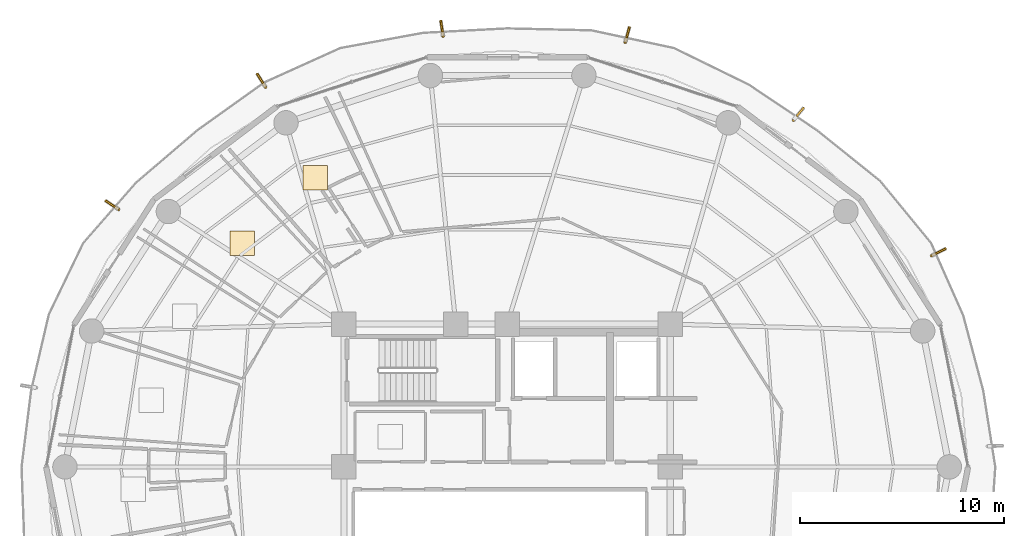
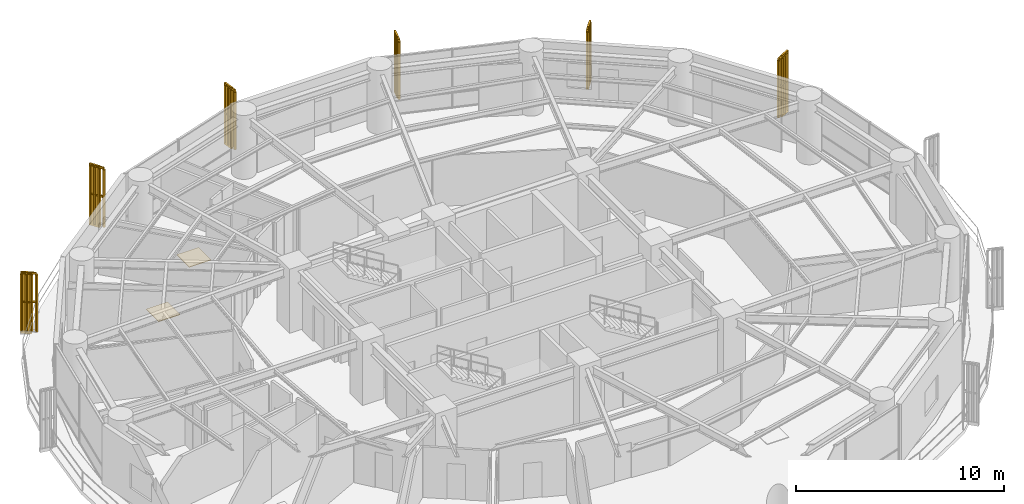
# One storey, part 28 of 28: 6 railings, 6 shading devices, 2 coverings.
"""IFC4 building model written with IfcOpenShell, lengths in metres."""

from ifc_helpers import new_model, si_unit, direction, frame, origin, origin_2d, place, context, subcontext, project, spatial, polyline, rectangle, outline, extrude, source, transform, mapped, material, layer, layer_set, type_object, element, save


model = new_model("IFC4")

# Units and contexts
model_context = context("Model", 3, precision=1e-05, world=origin(), true_north=direction((0.0, 1.0)))
body_context = subcontext(model_context, "Body", "Model", "MODEL_VIEW")
ifc_project = project(units=[si_unit("LENGTHUNIT", "METRE"), si_unit("AREAUNIT", "SQUARE_METRE"), si_unit("VOLUMEUNIT", "CUBIC_METRE"), si_unit("PLANEANGLEUNIT", "RADIAN"), si_unit("MASSUNIT", "GRAM", prefix="KILO")], contexts=[model_context])

# Site, building, storey
site_placement = place(None, origin())
site = spatial("IfcSite", under=ifc_project, at=site_placement, CompositionType="ELEMENT")
building_placement = place(site_placement, origin())
building = spatial("IfcBuilding", under=site, at=building_placement, Name="Kelanora Arch Commons", CompositionType="ELEMENT")
storey_placement = place(building_placement, frame((0.0, 0.0, 180.60009765625)))
storey = spatial("IfcBuildingStorey", under=building, at=storey_placement, Name="L46", CompositionType="ELEMENT", Elevation=180.60009765625)

# Railings
ifc_material_1 = material(Name="Anodised bronze vertical shading fin rib assembly")
railing_type = type_object("IfcRailingType", Name="RAIL-FIN-BRZ", PredefinedType="BALUSTRADE", material=ifc_material_1)
railing_1_placement = place(storey_placement, frame((94.815673828125, 68.359375, -0.02001953125)))
element("IfcRailing", 1, at=railing_1_placement, inside=storey, type_object=railing_type, Name="Sweeping Bronze Vertical Fin Blade L46-02", PredefinedType="BALUSTRADE", context=body_context, shape_type="SweptSolid", body=[
    extrude(outline(polyline([(0.06982421875, 0.0), (0.034912109375, 0.060546875), (-0.034912109375, 0.060546875), (-0.06982421875, 0.0), (-0.034912109375, -0.060546875), (0.034912109375, -0.060546875), (0.06982421875, 0.0)])), frame((0.0, 0.0, 3.419921875), z_axis=(0.895359296014, 0.445344508264, 0.0), x_axis=(-0.445344508264, 0.895359296014, 0.0)), (0.0, 0.0, 1.0), 0.73193359375),
    extrude(outline(polyline([(0.06982421875, 0.0), (0.034912109375, 0.060546875), (-0.034912109375, 0.060546875), (-0.06982421875, 0.0), (-0.034912109375, -0.060546875), (0.034912109375, -0.060546875), (0.06982421875, 0.0)])), frame((0.0, 0.0, 1.7451171875), z_axis=(0.895359296014, 0.445344508264, 0.0), x_axis=(-0.445344508264, 0.895359296014, 0.0)), (0.0, 0.0, 1.0), 0.73193359375),
    extrude(outline(polyline([(0.080078125, 0.0), (0.0400390625, 0.0693359375), (-0.0400390625, 0.0693359375), (-0.080078125, 0.0), (-0.0400390625, -0.0693359375), (0.0400390625, -0.0693359375), (0.080078125, 0.0)])), origin(), (0.0, 0.0, 1.0), 3.35009765625),
    extrude(outline(polyline([(0.080078125, 0.0), (0.0400390625, 0.0693359375), (-0.0400390625, 0.0693359375), (-0.080078125, 0.0), (-0.0400390625, -0.0693359375), (0.0400390625, -0.0693359375), (0.080078125, 0.0)])), frame((0.218505859375, 0.108642578125, 0.0)), (0.0, 0.0, 1.0), 3.35009765625),
    extrude(outline(polyline([(0.080078125, 0.0), (0.0400390625, 0.0693359375), (-0.0400390625, 0.0693359375), (-0.080078125, 0.0), (-0.0400390625, -0.0693359375), (0.0400390625, -0.0693359375), (0.080078125, 0.0)])), frame((0.436767578125, 0.21728515625, 0.0)), (0.0, 0.0, 1.0), 3.35009765625),
    extrude(outline(polyline([(0.080078125, 0.0), (0.0400390625, 0.0693359375), (-0.0400390625, 0.0693359375), (-0.080078125, 0.0), (-0.0400390625, -0.0693359375), (0.0400390625, -0.0693359375), (0.080078125, 0.0)])), frame((0.6552734375, 0.325927734375, 0.0)), (0.0, 0.0, 1.0), 3.35009765625),
])
railing_2_placement = place(storey_placement, frame((88.04296875, 75.010009765625, -0.02001953125)))
element("IfcRailing", 2, at=railing_2_placement, inside=storey, type_object=railing_type, Name="Sweeping Bronze Vertical Fin Blade L46-03", PredefinedType="BALUSTRADE", context=body_context, shape_type="SweptSolid", body=[
    extrude(outline(polyline([(0.06982421875, 0.0), (0.034912109375, 0.060546875), (-0.034912109375, 0.060546875), (-0.06982421875, 0.0), (-0.034912109375, -0.060546875), (0.034912109375, -0.060546875), (0.06982421875, 0.0)])), frame((0.0, 0.0, 3.419921875), z_axis=(0.636502044496, 0.771275014085, 0.0), x_axis=(-0.771275014085, 0.636502044496, 0.0)), (0.0, 0.0, 1.0), 0.73193359375),
    extrude(outline(polyline([(0.06982421875, 0.0), (0.034912109375, 0.060546875), (-0.034912109375, 0.060546875), (-0.06982421875, 0.0), (-0.034912109375, -0.060546875), (0.034912109375, -0.060546875), (0.06982421875, 0.0)])), frame((0.0, 0.0, 1.7451171875), z_axis=(0.636502044496, 0.771275014085, 0.0), x_axis=(-0.771275014085, 0.636502044496, 0.0)), (0.0, 0.0, 1.0), 0.73193359375),
    extrude(outline(polyline([(0.080078125, 0.0), (0.0400390625, 0.0693359375), (-0.0400390625, 0.0693359375), (-0.080078125, 0.0), (-0.0400390625, -0.0693359375), (0.0400390625, -0.0693359375), (0.080078125, 0.0)])), origin(), (0.0, 0.0, 1.0), 3.35009765625),
    extrude(outline(polyline([(0.080078125, 0.0), (0.0400390625, 0.0693359375), (-0.0400390625, 0.0693359375), (-0.080078125, 0.0), (-0.0400390625, -0.0693359375), (0.0400390625, -0.0693359375), (0.080078125, 0.0)])), frame((0.1552734375, 0.188232421875, 0.0)), (0.0, 0.0, 1.0), 3.35009765625),
    extrude(outline(polyline([(0.080078125, 0.0), (0.0400390625, 0.0693359375), (-0.0400390625, 0.0693359375), (-0.080078125, 0.0), (-0.0400390625, -0.0693359375), (0.0400390625, -0.0693359375), (0.080078125, 0.0)])), frame((0.310546875, 0.376220703125, 0.0)), (0.0, 0.0, 1.0), 3.35009765625),
    extrude(outline(polyline([(0.080078125, 0.0), (0.0400390625, 0.0693359375), (-0.0400390625, 0.0693359375), (-0.080078125, 0.0), (-0.0400390625, -0.0693359375), (0.0400390625, -0.0693359375), (0.080078125, 0.0)])), frame((0.4658203125, 0.564453125, 0.0)), (0.0, 0.0, 1.0), 3.35009765625),
])
railing_3_placement = place(storey_placement, frame((79.79150390625, 78.82373046875, -0.02001953125)))
element("IfcRailing", 3, at=railing_3_placement, inside=storey, type_object=railing_type, Name="Sweeping Bronze Vertical Fin Blade L46-04", PredefinedType="BALUSTRADE", context=body_context, shape_type="SweptSolid", body=[
    extrude(outline(polyline([(0.06982421875, 0.0), (0.034912109375, 0.060546875), (-0.034912109375, 0.060546875), (-0.06982421875, 0.0), (-0.034912109375, -0.060546875), (0.034912109375, -0.060546875), (0.06982421875, 0.0)])), frame((0.0, 0.0, 3.419921875), z_axis=(0.267575033021, 0.963537026639, 0.0), x_axis=(-0.963537026639, 0.267575033021, 0.0)), (0.0, 0.0, 1.0), 0.731689453125),
    extrude(outline(polyline([(0.06982421875, 0.0), (0.034912109375, 0.060546875), (-0.034912109375, 0.060546875), (-0.06982421875, 0.0), (-0.034912109375, -0.060546875), (0.034912109375, -0.060546875), (0.06982421875, 0.0)])), frame((0.0, 0.0, 1.7451171875), z_axis=(0.267575033021, 0.963537026639, 0.0), x_axis=(-0.963537026639, 0.267575033021, 0.0)), (0.0, 0.0, 1.0), 0.731689453125),
    extrude(outline(polyline([(0.080078125, 0.0), (0.0400390625, 0.0693359375), (-0.0400390625, 0.0693359375), (-0.080078125, 0.0), (-0.0400390625, -0.0693359375), (0.0400390625, -0.0693359375), (0.080078125, 0.0)])), origin(), (0.0, 0.0, 1.0), 3.35009765625),
    extrude(outline(polyline([(0.080078125, 0.0), (0.0400390625, 0.0693359375), (-0.0400390625, 0.0693359375), (-0.080078125, 0.0), (-0.0400390625, -0.0693359375), (0.0400390625, -0.0693359375), (0.080078125, 0.0)])), frame((0.065185546875, 0.235107421875, 0.0)), (0.0, 0.0, 1.0), 3.35009765625),
    extrude(outline(polyline([(0.080078125, 0.0), (0.0400390625, 0.0693359375), (-0.0400390625, 0.0693359375), (-0.080078125, 0.0), (-0.0400390625, -0.0693359375), (0.0400390625, -0.0693359375), (0.080078125, 0.0)])), frame((0.130615234375, 0.469970703125, 0.0)), (0.0, 0.0, 1.0), 3.35009765625),
    extrude(outline(polyline([(0.080078125, 0.0), (0.0400390625, 0.0693359375), (-0.0400390625, 0.0693359375), (-0.080078125, 0.0), (-0.0400390625, -0.0693359375), (0.0400390625, -0.0693359375), (0.080078125, 0.0)])), frame((0.19580078125, 0.705078125, 0.0)), (0.0, 0.0, 1.0), 3.35009765625),
])
railing_4_placement = place(storey_placement, frame((70.860107421875, 79.11474609375, -0.02001953125)))
element("IfcRailing", 4, at=railing_4_placement, inside=storey, type_object=railing_type, Name="Sweeping Bronze Vertical Fin Blade L46-05", PredefinedType="BALUSTRADE", context=body_context, shape_type="SweptSolid", body=[
    extrude(outline(polyline([(0.06982421875, 0.0), (0.034912109375, 0.060546875), (-0.034912109375, 0.060546875), (-0.06982421875, 0.0), (-0.034912109375, -0.060546875), (0.034912109375, -0.060546875), (0.06982421875, 0.0)])), frame((0.0, 0.0, 3.419921875), z_axis=(-0.146838928195, 0.989160416296, 0.0), x_axis=(-0.989160416296, -0.146838928195, 0.0)), (0.0, 0.0, 1.0), 0.7314453125),
    extrude(outline(polyline([(0.06982421875, 0.0), (0.034912109375, 0.060546875), (-0.034912109375, 0.060546875), (-0.06982421875, 0.0), (-0.034912109375, -0.060546875), (0.034912109375, -0.060546875), (0.06982421875, 0.0)])), frame((0.0, 0.0, 1.7451171875), z_axis=(-0.146838928195, 0.989160416296, 0.0), x_axis=(-0.989160416296, -0.146838928195, 0.0)), (0.0, 0.0, 1.0), 0.7314453125),
    extrude(outline(polyline([(0.080078125, 0.0), (0.0400390625, 0.0693359375), (-0.0400390625, 0.0693359375), (-0.080078125, 0.0), (-0.0400390625, -0.0693359375), (0.0400390625, -0.0693359375), (0.080078125, 0.0)])), origin(), (0.0, 0.0, 1.0), 3.35009765625),
    extrude(outline(polyline([(0.080078125, 0.0), (0.0400390625, 0.0693359375), (-0.0400390625, 0.0693359375), (-0.080078125, 0.0), (-0.0400390625, -0.0693359375), (0.0400390625, -0.0693359375), (0.080078125, 0.0)])), frame((-0.035888671875, 0.2412109375, 0.0)), (0.0, 0.0, 1.0), 3.35009765625),
    extrude(outline(polyline([(0.080078125, 0.0), (0.0400390625, 0.0693359375), (-0.0400390625, 0.0693359375), (-0.080078125, 0.0), (-0.0400390625, -0.0693359375), (0.0400390625, -0.0693359375), (0.080078125, 0.0)])), frame((-0.071533203125, 0.482421875, 0.0)), (0.0, 0.0, 1.0), 3.35009765625),
    extrude(outline(polyline([(0.080078125, 0.0), (0.0400390625, 0.0693359375), (-0.0400390625, 0.0693359375), (-0.080078125, 0.0), (-0.0400390625, -0.0693359375), (0.0400390625, -0.0693359375), (0.080078125, 0.0)])), frame((-0.107421875, 0.7236328125, 0.0)), (0.0, 0.0, 1.0), 3.35009765625),
])
railing_5_placement = place(storey_placement, frame((62.153564453125, 76.625244140625, -0.02001953125)))
element("IfcRailing", 5, at=railing_5_placement, inside=storey, type_object=railing_type, Name="Sweeping Bronze Vertical Fin Blade L46-06", PredefinedType="BALUSTRADE", context=body_context, shape_type="SweptSolid", body=[
    extrude(outline(polyline([(0.06982421875, 0.0), (0.034912109375, 0.060546875), (-0.034912109375, 0.060546875), (-0.06982421875, 0.0), (-0.034912109375, -0.060546875), (0.034912109375, -0.060546875), (0.06982421875, 0.0)])), frame((0.0, 0.0, 3.419921875), z_axis=(-0.53678914155, 0.843716431933, 0.0), x_axis=(-0.843716431933, -0.53678914155, 0.0)), (0.0, 0.0, 1.0), 0.731689453125),
    extrude(outline(polyline([(0.06982421875, 0.0), (0.034912109375, 0.060546875), (-0.034912109375, 0.060546875), (-0.06982421875, 0.0), (-0.034912109375, -0.060546875), (0.034912109375, -0.060546875), (0.06982421875, 0.0)])), frame((0.0, 0.0, 1.7451171875), z_axis=(-0.53678914155, 0.843716431933, 0.0), x_axis=(-0.843716431933, -0.53678914155, 0.0)), (0.0, 0.0, 1.0), 0.731689453125),
    extrude(outline(polyline([(0.080078125, 0.0), (0.0400390625, 0.0693359375), (-0.0400390625, 0.0693359375), (-0.080078125, 0.0), (-0.0400390625, -0.0693359375), (0.0400390625, -0.0693359375), (0.080078125, 0.0)])), origin(), (0.0, 0.0, 1.0), 3.35009765625),
    extrude(outline(polyline([(0.080078125, 0.0), (0.0400390625, 0.0693359375), (-0.0400390625, 0.0693359375), (-0.080078125, 0.0), (-0.0400390625, -0.0693359375), (0.0400390625, -0.0693359375), (0.080078125, 0.0)])), frame((-0.130859375, 0.205810546875, 0.0)), (0.0, 0.0, 1.0), 3.35009765625),
    extrude(outline(polyline([(0.080078125, 0.0), (0.0400390625, 0.0693359375), (-0.0400390625, 0.0693359375), (-0.080078125, 0.0), (-0.0400390625, -0.0693359375), (0.0400390625, -0.0693359375), (0.080078125, 0.0)])), frame((-0.261962890625, 0.41162109375, 0.0)), (0.0, 0.0, 1.0), 3.35009765625),
    extrude(outline(polyline([(0.080078125, 0.0), (0.0400390625, 0.0693359375), (-0.0400390625, 0.0693359375), (-0.080078125, 0.0), (-0.0400390625, -0.0693359375), (0.0400390625, -0.0693359375), (0.080078125, 0.0)])), frame((-0.392822265625, 0.617431640625, 0.0)), (0.0, 0.0, 1.0), 3.35009765625),
])
railing_6_placement = place(storey_placement, frame((54.95068359375, 70.62841796875, -0.02001953125)))
element("IfcRailing", 6, at=railing_6_placement, inside=storey, type_object=railing_type, Name="Sweeping Bronze Vertical Fin Blade L46-07", PredefinedType="BALUSTRADE", context=body_context, shape_type="SweptSolid", body=[
    extrude(outline(polyline([(0.06982421875, 0.0), (0.034912109375, 0.060546875), (-0.034912109375, 0.060546875), (-0.06982421875, 0.0), (-0.034912109375, -0.060546875), (0.034912109375, -0.060546875), (0.06982421875, 0.0)])), frame((0.0, 0.0, 3.419921875), z_axis=(-0.833331142801, 0.552774100729, 0.0), x_axis=(-0.552774100729, -0.833331142801, 0.0)), (0.0, 0.0, 1.0), 0.73193359375),
    extrude(outline(polyline([(0.06982421875, 0.0), (0.034912109375, 0.060546875), (-0.034912109375, 0.060546875), (-0.06982421875, 0.0), (-0.034912109375, -0.060546875), (0.034912109375, -0.060546875), (0.06982421875, 0.0)])), frame((0.0, 0.0, 1.7451171875), z_axis=(-0.833331142801, 0.552774100729, 0.0), x_axis=(-0.552774100729, -0.833331142801, 0.0)), (0.0, 0.0, 1.0), 0.73193359375),
    extrude(outline(polyline([(0.080078125, 0.0), (0.0400390625, 0.0693359375), (-0.0400390625, 0.0693359375), (-0.080078125, 0.0), (-0.0400390625, -0.0693359375), (0.0400390625, -0.0693359375), (0.080078125, 0.0)])), origin(), (0.0, 0.0, 1.0), 3.35009765625),
    extrude(outline(polyline([(0.080078125, 0.0), (0.0400390625, 0.0693359375), (-0.0400390625, 0.0693359375), (-0.080078125, 0.0), (-0.0400390625, -0.0693359375), (0.0400390625, -0.0693359375), (0.080078125, 0.0)])), frame((-0.203369140625, 0.134765625, 0.0)), (0.0, 0.0, 1.0), 3.35009765625),
    extrude(outline(polyline([(0.080078125, 0.0), (0.0400390625, 0.0693359375), (-0.0400390625, 0.0693359375), (-0.080078125, 0.0), (-0.0400390625, -0.0693359375), (0.0400390625, -0.0693359375), (0.080078125, 0.0)])), frame((-0.406494140625, 0.269775390625, 0.0)), (0.0, 0.0, 1.0), 3.35009765625),
    extrude(outline(polyline([(0.080078125, 0.0), (0.0400390625, 0.0693359375), (-0.0400390625, 0.0693359375), (-0.080078125, 0.0), (-0.0400390625, -0.0693359375), (0.0400390625, -0.0693359375), (0.080078125, 0.0)])), frame((-0.60986328125, 0.404541015625, 0.0)), (0.0, 0.0, 1.0), 3.35009765625),
])

# Shading devices
ifc_material_2 = material(Name="Terracotta ceramic-clad extruded aluminium fin", Category="masonry")
shading_device_type = type_object("IfcShadingDeviceType", Name="SHD-FIN-WAIST", PredefinedType="USERDEFINED", material=ifc_material_2)
shared_shape_1 = source(origin(), body_context, "Body", "SweptSolid", [
    extrude(rectangle(XDim=0.56005859375, YDim=0.090087890625, at=origin_2d()), origin(), (0.0, 0.0, 1.0), 3.610107421875),
])
for number, where, z_axis, x_axis, name in (
    (7, (95.2685546875, 68.584716796875, -0.14013671875), (0.0, 0.0, 1.0), (0.895245648325, 0.445572922377, 0.0), "Sweeping Terracotta Fin L46-02"),
    (8, (88.364990234375, 75.400146484375, -0.14013671875), (0.0, 0.0, 1.0), (0.636616760808, 0.771180329014, 0.0), "Sweeping Terracotta Fin L46-03"),
    (9, (79.927001953125, 79.31103515625, -0.14013671875), (0.0, 0.0, 1.0), (0.267911051866, 0.963443650811, 0.0), "Sweeping Terracotta Fin L46-04"),
    (10, (70.785888671875, 79.614990234375, -0.14013671875), (0.0, 0.0, 1.0), (-0.147118911839, 0.989118812772, 0.0), "Sweeping Terracotta Fin L46-05"),
    (11, (61.882080078125, 77.052001953125, -0.14013671875), (0.0, 0.0, 1.0), (-0.536710679153, 0.843766346142, 0.0), "Sweeping Terracotta Fin L46-06"),
    (12, (54.529052734375, 70.908203125, -0.14013671875), (0.0, 0.0, 1.0), (-0.833500294179, 0.552519012888, 0.0), "Sweeping Terracotta Fin L46-07"),
):
    element("IfcShadingDevice", number, at=place(storey_placement, frame(where, z_axis=z_axis, x_axis=x_axis)), inside=storey, type_object=shading_device_type, Name=name, ObjectType="FIN", PredefinedType="USERDEFINED", context=body_context, shape_type="MappedRepresentation", body=[
        mapped(shared_shape_1, transform((0.0, 0.0, 0.0), scale=1.0)),
    ])

# Coverings
ifc_material_3 = material(Name="Polished local granite terrazzo flooring", Category="masonry")
ifc_layer = layer(ifc_material_3, 0.030029296875)
ifc_layer_set = layer_set([ifc_layer], Name="Polished local granite terrazzo flooring")
covering_type = type_object("IfcCoveringType", Name="COV-FLR-TER", PredefinedType="FLOORING", material=ifc_layer_set)
shared_shape_2 = source(origin(), body_context, "Body", "SweptSolid", [
    extrude(rectangle(XDim=1.199951171875, YDim=1.199951171875, at=origin_2d()), origin(), (0.0, 0.0, 1.0), 0.030029296875),
])
for number, where, z_axis, x_axis, name in (
    (13, (64.5810546875, 72.1875, 0.0), (0.0, 0.0, 1.0), (1.0, 0.0, 0.0), "Co-Living Studio L46-01 Terrazzo Finish"),
    (14, (61.013427734375, 68.972412109375, 0.0), (0.0, 0.0, 1.0), (1.0, 0.0, 0.0), "Quiet Seminar Study Room L46-02 Terrazzo Finish"),
):
    element("IfcCovering", number, at=place(storey_placement, frame(where, z_axis=z_axis, x_axis=x_axis)), inside=storey, type_object=covering_type, Name=name, PredefinedType="FLOORING", context=body_context, shape_type="MappedRepresentation", body=[
        mapped(shared_shape_2, transform((0.0, 0.0, 0.0), scale=1.0)),
    ])

save(model, "model.ifc")
